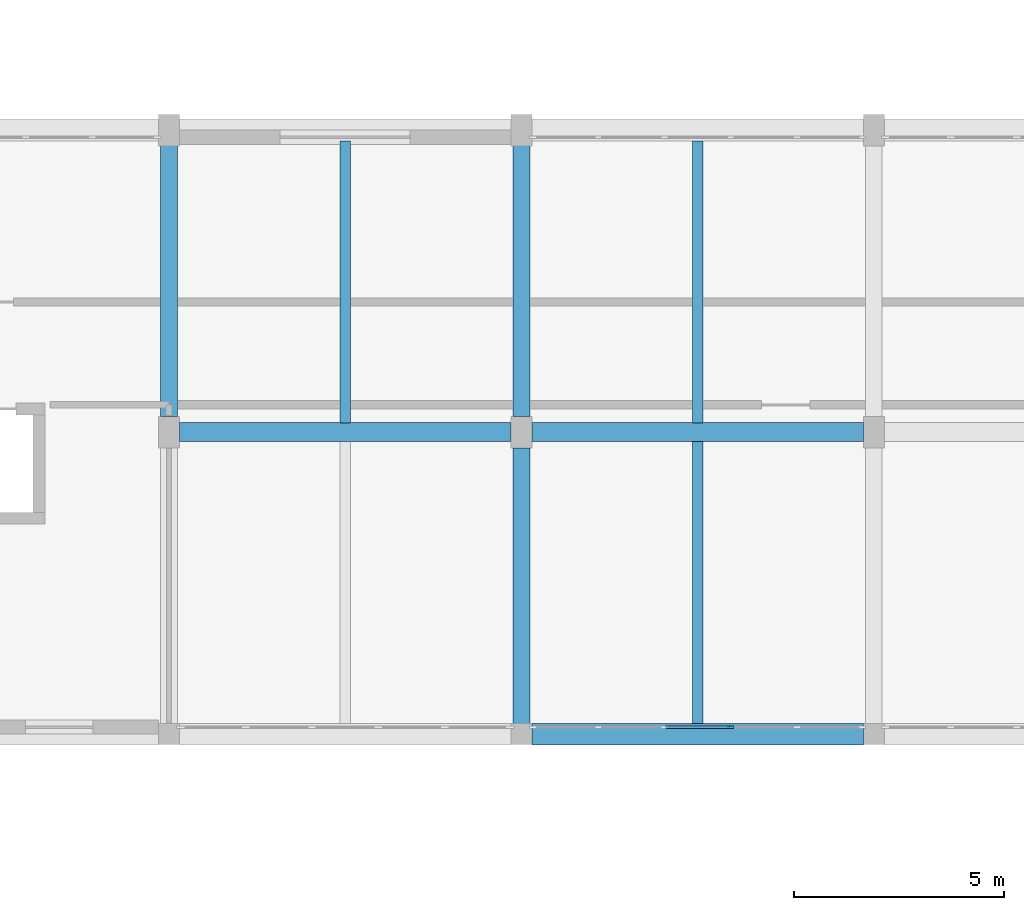
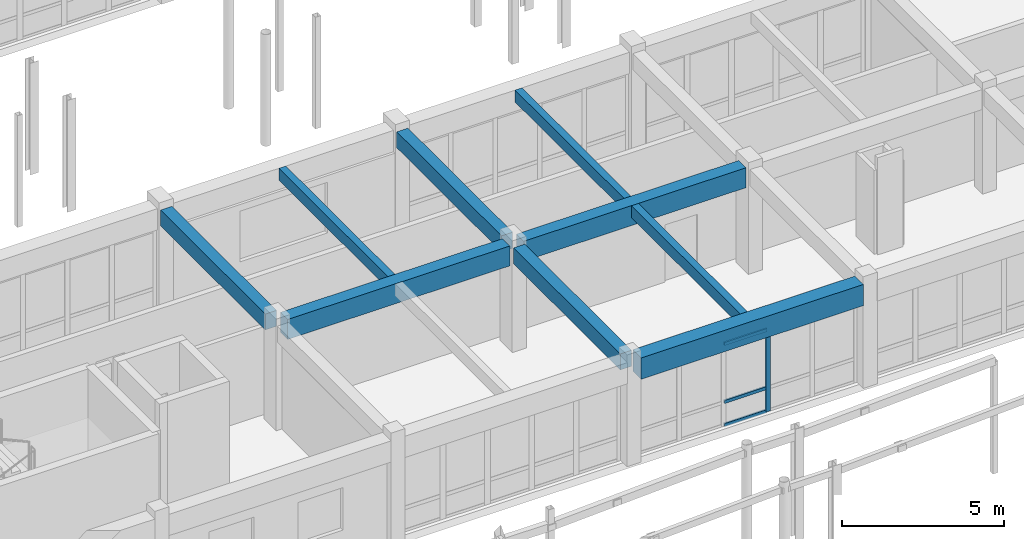
# One storey, part 40 of 147: 9 beams, 4 members, 1 element without a shape of its own.
"""IFC4 building model written with IfcOpenShell, lengths in metres."""

from ifc_helpers import new_model, si_unit, direction, frame, origin, origin_2d, place, context, subcontext, project, spatial, rectangle, extrude, material, material_profile, profile_set, type_object, element, aggregate, save


model = new_model("IFC4")

# Units and contexts
model_context = context("Model", 3, precision=1e-05, world=origin(), true_north=direction((0.0, 1.0)))
body_context = subcontext(model_context, "Body", "Model", "MODEL_VIEW")
ifc_project = project(units=[si_unit("LENGTHUNIT", "METRE"), si_unit("AREAUNIT", "SQUARE_METRE"), si_unit("VOLUMEUNIT", "CUBIC_METRE"), si_unit("PLANEANGLEUNIT", "RADIAN"), si_unit("MASSUNIT", "GRAM", prefix="KILO")], contexts=[model_context])

# Site, building, storey
site_placement = place(None, origin())
site = spatial("IfcSite", under=ifc_project, at=site_placement, CompositionType="ELEMENT")
building_placement = place(site_placement, origin())
building = spatial("IfcBuilding", under=site, at=building_placement, Name="Malvenik Polytechnic", CompositionType="ELEMENT")
storey_placement = place(building_placement, frame((0.0, 0.0, 5.10009765625)))
storey = spatial("IfcBuildingStorey", under=building, at=storey_placement, Name="L01", CompositionType="ELEMENT", Elevation=5.10009765625)

# Curtain wall, members
ifc_material_1 = material(Name="Anodised aluminium 6060-T6", Category="aluminium")
curtain_wall_type = type_object("IfcCurtainWallType", Name="ARC-CW-CW-02", PredefinedType="NOTDEFINED", material=ifc_material_1)
curtain_wall_placement = place(storey_placement, origin())
curtain_wall = element("IfcCurtainWall", 1, at=curtain_wall_placement, inside=storey, type_object=curtain_wall_type, Name="Unitised Curtain Wall CW-02 L01 #119", PredefinedType="NOTDEFINED")
ifc_material_2 = material(Name="Anodised aluminium", Category="aluminium")
ifc_material_profile_1 = material_profile(ifc_material_2, rectangle(XDim=0.06005859375, YDim=0.159912109375, at=origin_2d()), Name="ALU MULLION 60x160")
ifc_profile_set_1 = profile_set([ifc_material_profile_1], Name="Anodised aluminium")
member_type_1 = type_object("IfcMemberType", Name="ARC-CWM-160", PredefinedType="MULLION", material=ifc_profile_set_1)
member_1_placement = place(storey_placement, frame((63.790283203125, 50.570068359375, 0.0), z_axis=(0.0, 0.0, 1.0), x_axis=(0.0, -1.0, 0.0)))
member_1 = element("IfcMember", 2, at=member_1_placement, type_object=member_type_1, Name="CW-02 mullion 3", PredefinedType="MULLION", context=body_context, shape_type="SweptSolid", body=[
    extrude(rectangle(XDim=0.06005859375, YDim=0.159912109375, at=origin_2d()), origin(), (0.0, 0.0, 1.0), 3.10986328125),
])
ifc_material_profile_2 = material_profile(ifc_material_2, rectangle(XDim=0.06005859375, YDim=0.1201171875, at=origin_2d()), Name="ALU TRANSOM 60x120")
ifc_profile_set_2 = profile_set([ifc_material_profile_2], Name="Anodised aluminium")
member_type_2 = type_object("IfcMemberType", Name="ARC-CWT-120", PredefinedType="USERDEFINED", material=ifc_profile_set_2)
member_2_placement = place(storey_placement, frame((63.760498046875, 50.570068359375, 0.02978515625), z_axis=(-1.0, 0.0, 0.0), x_axis=(0.0, -1.0, 0.0)))
member_2 = element("IfcMember", 3, at=member_2_placement, type_object=member_type_2, Name="CW-02 transom 3.1", ObjectType="TRANSOM", PredefinedType="USERDEFINED", context=body_context, shape_type="SweptSolid", body=[
    extrude(rectangle(XDim=0.06005859375, YDim=0.1201171875, at=origin_2d()), origin(), (0.0, 0.0, 1.0), 1.52099609375),
])
member_3_placement = place(storey_placement, frame((63.760498046875, 50.570068359375, 0.89990234375), z_axis=(-1.0, 0.0, 0.0), x_axis=(0.0, -1.0, 0.0)))
member_3 = element("IfcMember", 4, at=member_3_placement, type_object=member_type_2, Name="CW-02 transom 3.2", ObjectType="TRANSOM", PredefinedType="USERDEFINED", context=body_context, shape_type="SweptSolid", body=[
    extrude(rectangle(XDim=0.06005859375, YDim=0.1201171875, at=origin_2d()), origin(), (0.0, 0.0, 1.0), 1.52099609375),
])
member_4_placement = place(storey_placement, frame((63.760498046875, 50.570068359375, 3.079833984375), z_axis=(-1.0, 0.0, 0.0), x_axis=(0.0, -1.0, 0.0)))
member_4 = element("IfcMember", 5, at=member_4_placement, type_object=member_type_2, Name="CW-02 transom 3.3", ObjectType="TRANSOM", PredefinedType="USERDEFINED", context=body_context, shape_type="SweptSolid", body=[
    extrude(rectangle(XDim=0.06005859375, YDim=0.1201171875, at=origin_2d()), origin(), (0.0, 0.0, 1.0), 1.52099609375),
])
aggregate(curtain_wall, [member_1, member_2, member_3, member_4])

# Beams
ifc_material_3 = material(Name="Concrete C35/45", Category="concrete")
ifc_material_profile_3 = material_profile(ifc_material_3, rectangle(XDim=0.449951171875, YDim=0.75, at=origin_2d()), Name="RC BM 450x750")
ifc_profile_set_3 = profile_set([ifc_material_profile_3], Name="Concrete C35/45")
beam_type_1 = type_object("IfcBeamType", Name="STR-BM-B-03", PredefinedType="BEAM", material=ifc_profile_set_3)
beam_1_placement = place(storey_placement, frame((50.64794921875, 57.60009765625, 3.544921875), z_axis=(1.0, 0.0, 0.0), x_axis=(0.0, 1.0, 0.0)))
element("IfcBeam", 6, at=beam_1_placement, inside=storey, type_object=beam_type_1, Name="Primary Beam B-03 L01 #1018", PredefinedType="BEAM", context=body_context, shape_type="SweptSolid", body=[
    extrude(rectangle(XDim=0.449951171875, YDim=0.75, at=origin_2d()), origin(), (0.0, 0.0, 1.0), 7.904052734375),
])
beam_2_placement = place(storey_placement, frame((59.048095703125, 57.60009765625, 3.544921875), z_axis=(1.0, 0.0, 0.0), x_axis=(0.0, 1.0, 0.0)))
element("IfcBeam", 7, at=beam_2_placement, inside=storey, type_object=beam_type_1, Name="Primary Beam B-03 L01 #1019", PredefinedType="BEAM", context=body_context, shape_type="SweptSolid", body=[
    extrude(rectangle(XDim=0.449951171875, YDim=0.75, at=origin_2d()), origin(), (0.0, 0.0, 1.0), 7.90380859375),
])
ifc_material_profile_4 = material_profile(ifc_material_3, rectangle(XDim=0.39990234375, YDim=0.60009765625, at=origin_2d()), Name="RC BM 400x600")
ifc_profile_set_4 = profile_set([ifc_material_profile_4], Name="Concrete C35/45")
beam_type_2 = type_object("IfcBeamType", Name="STR-BM-B-06", PredefinedType="BEAM", material=ifc_profile_set_4)
beam_3_placement = place(storey_placement, frame((50.39990234375, 57.972900390625, 3.619873046875), z_axis=(0.0, 1.0, 0.0), x_axis=(-1.0, 0.0, 0.0)))
element("IfcBeam", 8, at=beam_3_placement, inside=storey, type_object=beam_type_2, Name="Transverse Beam B-06 L01 #1162", PredefinedType="BEAM", context=body_context, shape_type="SweptSolid", body=[
    extrude(rectangle(XDim=0.39990234375, YDim=0.60009765625, at=origin_2d()), origin(), (0.0, 0.0, 1.0), 6.4541015625),
])
beam_4_placement = place(storey_placement, frame((58.800048828125, 50.64794921875, 3.619873046875), z_axis=(0.0, 1.0, 0.0), x_axis=(-1.0, 0.0, 0.0)))
element("IfcBeam", 9, at=beam_4_placement, inside=storey, type_object=beam_type_2, Name="Transverse Beam B-06 L01 #1167", PredefinedType="BEAM", context=body_context, shape_type="SweptSolid", body=[
    extrude(rectangle(XDim=0.39990234375, YDim=0.60009765625, at=origin_2d()), origin(), (0.0, 0.0, 1.0), 6.5791015625),
])
beam_5_placement = place(storey_placement, frame((58.800048828125, 57.972900390625, 3.619873046875), z_axis=(0.0, 1.0, 0.0), x_axis=(-1.0, 0.0, 0.0)))
element("IfcBeam", 10, at=beam_5_placement, inside=storey, type_object=beam_type_2, Name="Transverse Beam B-06 L01 #1168", PredefinedType="BEAM", context=body_context, shape_type="SweptSolid", body=[
    extrude(rectangle(XDim=0.39990234375, YDim=0.60009765625, at=origin_2d()), origin(), (0.0, 0.0, 1.0), 6.4541015625),
])
ifc_material_4 = material(Name="Concrete C30/37", Category="concrete")
ifc_material_profile_5 = material_profile(ifc_material_4, rectangle(XDim=0.25, YDim=0.449951171875, at=origin_2d()), Name="RC JST 250x450")
ifc_profile_set_5 = profile_set([ifc_material_profile_5], Name="Concrete C30/37")
beam_type_3 = type_object("IfcBeamType", Name="STR-BM-J-02", PredefinedType="JOIST", material=ifc_profile_set_5)
for number, where, z_axis, x_axis, name in (
    (11, (54.60009765625, 57.822998046875, 3.69482421875), (0.0, 1.0, 0.0), (-1.0, 0.0, 0.0), "Secondary Rib Joist J-02 L01 #1274"),
    (12, (63.0, 50.657958984375, 3.69482421875), (0.0, 1.0, 0.0), (-1.0, 0.0, 0.0), "Secondary Rib Joist J-02 L01 #1277"),
    (13, (63.0, 57.822998046875, 3.69482421875), (0.0, 1.0, 0.0), (-1.0, 0.0, 0.0), "Secondary Rib Joist J-02 L01 #1278"),
):
    element("IfcBeam", number, at=place(storey_placement, frame(where, z_axis=z_axis, x_axis=x_axis)), inside=storey, type_object=beam_type_3, Name=name, PredefinedType="JOIST", context=body_context, shape_type="SweptSolid", body=[
        extrude(rectangle(XDim=0.25, YDim=0.449951171875, at=origin_2d()), origin(), (0.0, 0.0, 1.0), 6.718994140625),
    ])
ifc_material_5 = material(Name="Precast concrete C40/50", Category="concrete")
ifc_material_profile_6 = material_profile(ifc_material_5, rectangle(XDim=0.52001953125, YDim=0.800048828125, at=origin_2d()), Name="PC SPN 520x800")
ifc_profile_set_6 = profile_set([ifc_material_profile_6], Name="Precast concrete C40/50")
beam_type_4 = type_object("IfcBeamType", Name="STR-BM-SP-01", PredefinedType="SPANDREL", material=ifc_profile_set_6)
beam_6_placement = place(storey_placement, frame((59.048095703125, 50.39990234375, 3.52001953125), z_axis=(1.0, 0.0, 0.0), x_axis=(0.0, 1.0, 0.0)))
element("IfcBeam", 14, at=beam_6_placement, inside=storey, type_object=beam_type_4, Name="Primary Beam SP-01 L01 #1006", PredefinedType="SPANDREL", context=body_context, shape_type="SweptSolid", body=[
    extrude(rectangle(XDim=0.52001953125, YDim=0.800048828125, at=origin_2d()), origin(), (0.0, 0.0, 1.0), 7.90380859375),
])

save(model, "model.ifc")
